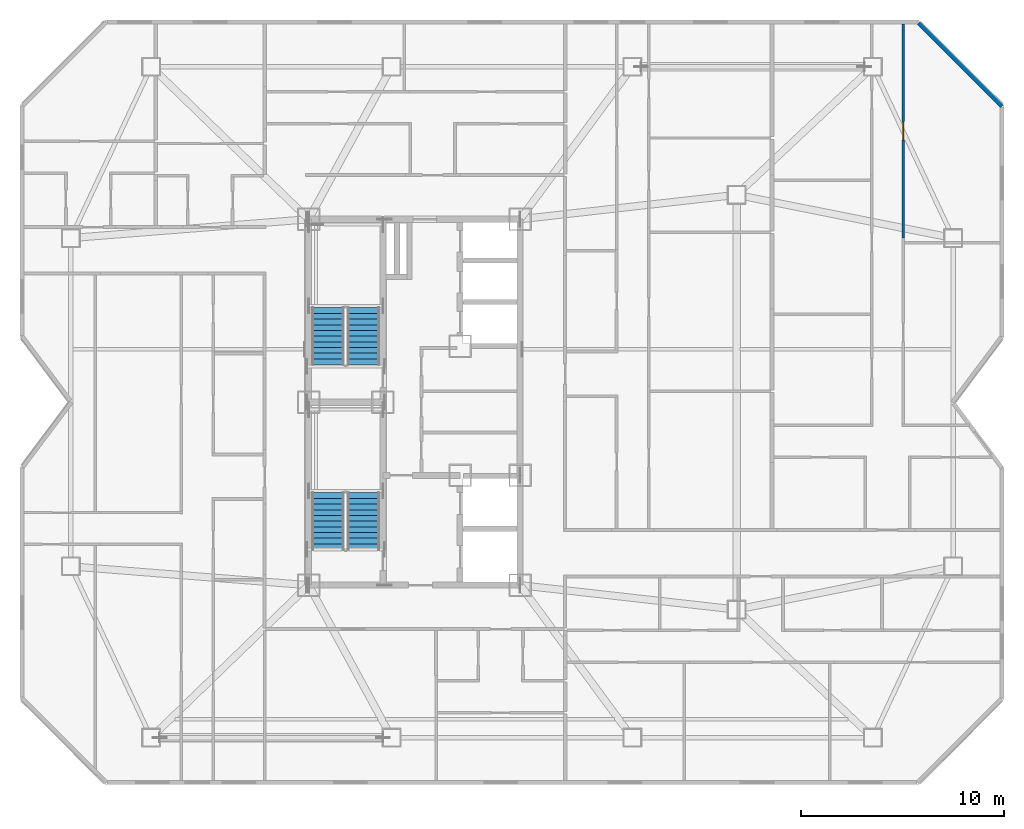
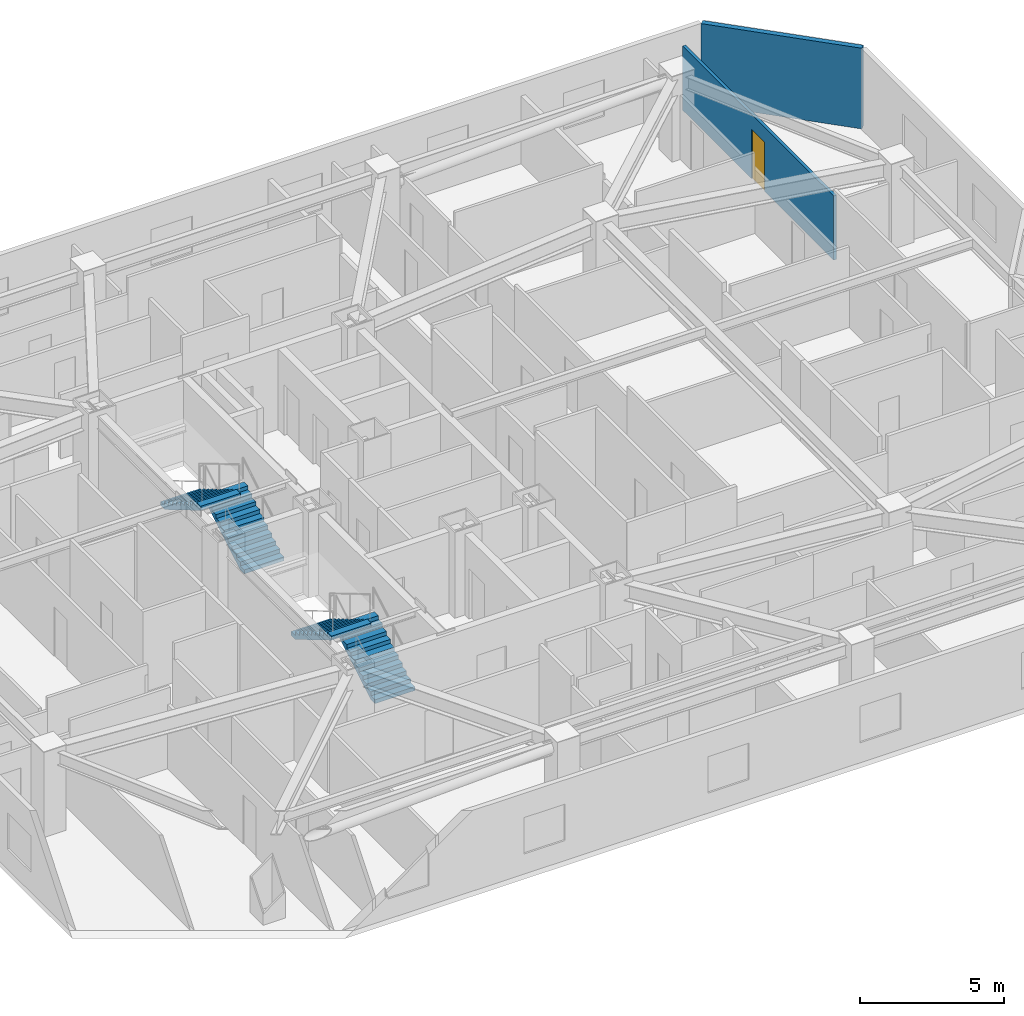
# One storey, part 11 of 13: 4 stair flights, 2 walls, 1 door, 1 opening, 2 elements without a shape of their own.
"""IFC4 building model written with IfcOpenShell, lengths in metres."""

import ifcopenshell
import ifcopenshell.guid

model = None  # the IFC model being written
_history = None  # IfcOwnerHistory: only IFC2X3 demands one
_inside = {}  # id of a spatial element -> (the spatial element, [elements in it])
_under = {}  # id of a project, library or spatial element -> (it, [spatial elements below it])
_declared = {}  # id of a project -> (the project, [libraries it declares])
_typed = {}  # id of a type object -> (the type object, [elements of that type])
_made_of = {}  # id of a material, layer set ... -> (it, [elements and type objects made of it])


def new_model(schema):
    """Start an empty IFC model of exactly this schema.

    Asked for "IFC4X3", IfcOpenShell would pick the latest addendum, in which some entities
    have other attributes; the version numbers below select the first issue.
    IFC2X3 requires an IfcOwnerHistory on every rooted entity: one is made here for all.
    """
    global model, _history
    if schema == "IFC4X3":
        model = ifcopenshell.file(schema_version=(4, 3, 0, 0))
    else:
        model = ifcopenshell.file(schema=schema)
    _inside.clear()
    _under.clear()
    _declared.clear()
    _typed.clear()
    _made_of.clear()
    _history = None
    if model.schema == "IFC2X3":
        org = make("IfcOrganization", Name="unknown")
        user = make(
            "IfcPersonAndOrganization",
            ThePerson=make("IfcPerson", FamilyName="unknown"),
            TheOrganization=org,
        )
        app = make(
            "IfcApplication",
            ApplicationDeveloper=org,
            Version="unknown",
            ApplicationFullName="unknown",
            ApplicationIdentifier="unknown",
        )
        _history = make(
            "IfcOwnerHistory",
            OwningUser=user,
            OwningApplication=app,
            ChangeAction="ADDED",
            CreationDate=0,
        )
    return model


def make(cls, **values):
    """One entity of the class cls with the attributes given. An attribute that is None is left unset."""
    return model.create_entity(
        cls, **{name: value for name, value in values.items() if value is not None}
    )


def rooted(cls, **values):
    """An entity with a GlobalId (a new one), such as an element, a storey or a relation."""
    return make(cls, GlobalId=ifcopenshell.guid.new(), OwnerHistory=_history, **values)


def si_unit(unit_type, name, prefix=None):
    """IfcSIUnit, for example si_unit("LENGTHUNIT", "METRE", prefix="MILLI")."""
    return make("IfcSIUnit", UnitType=unit_type, Prefix=prefix, Name=name)


def assignment(units):
    """IfcUnitAssignment: the units of a project."""
    return None if units is None else make("IfcUnitAssignment", Units=units)


def point(xyz):
    """IfcCartesianPoint."""
    return None if xyz is None else make("IfcCartesianPoint", Coordinates=xyz)


def direction(xyz):
    """IfcDirection."""
    return None if xyz is None else make("IfcDirection", DirectionRatios=xyz)


def frame(location, z_axis=None, x_axis=None):
    """IfcAxis2Placement3D, a coordinate frame: its origin and axes. An axis left out is left unset."""
    return make(
        "IfcAxis2Placement3D",
        Location=point(location),
        Axis=direction(z_axis),
        RefDirection=direction(x_axis),
    )


def frame_2d(location, x_axis=None):
    """IfcAxis2Placement2D, a coordinate frame in the plane: its origin and x axis."""
    return make(
        "IfcAxis2Placement2D", Location=point(location), RefDirection=direction(x_axis)
    )


def origin():
    """The frame at (0, 0, 0) with its axes left unset."""
    return frame((0.0, 0.0, 0.0))


def place(relative_to, where):
    """IfcLocalPlacement: puts the frame where relative to a parent placement (None: the world)."""
    return make(
        "IfcLocalPlacement", PlacementRelTo=relative_to, RelativePlacement=where
    )


def context(
    kind, dimensions, precision=None, world=None, true_north=None, identifier=None
):
    """IfcGeometricRepresentationContext, for example the 3D "Model" context."""
    return make(
        "IfcGeometricRepresentationContext",
        ContextIdentifier=identifier,
        ContextType=kind,
        CoordinateSpaceDimension=dimensions,
        Precision=precision,
        WorldCoordinateSystem=world,
        TrueNorth=true_north,
    )


def subcontext(parent, identifier, kind, view, scale=None):
    """IfcGeometricRepresentationSubContext, for example "Body" below "Model"."""
    return make(
        "IfcGeometricRepresentationSubContext",
        ContextIdentifier=identifier,
        ContextType=kind,
        ParentContext=parent,
        TargetScale=scale,
        TargetView=view,
    )


def project(units=None, contexts=None):
    """IfcProject with its units and contexts."""
    return rooted(
        "IfcProject",
        Name="project",
        RepresentationContexts=contexts,
        UnitsInContext=assignment(units),
    )


def spatial(cls, under=None, at=None, **own):
    """A site, building, storey or space (cls), placed at a placement, below another one or the project."""
    s = rooted(cls, ObjectPlacement=at, **own)
    if under is not None:
        _under.setdefault(under.id(), (under, []))[1].append(s)
    return s


def polyline(points):
    """IfcPolyline through the points."""
    return make("IfcPolyline", Points=[point(p) for p in points])


def profile(cls, at=None, kind="AREA", **sizes):
    """A parametric profile (cls). Its sizes go by their IFC names, for example OverallWidth=200.0."""
    return make(cls, ProfileType=kind, Position=at, **sizes)


def rectangle(**sizes):
    """IfcRectangleProfileDef."""
    return profile("IfcRectangleProfileDef", **sizes)


def outline(outer, holes=None, kind="AREA"):
    """IfcArbitraryClosedProfileDef: a profile drawn as a closed curve; with holes, ...WithVoids."""
    if holes is None:
        return make("IfcArbitraryClosedProfileDef", ProfileType=kind, OuterCurve=outer)
    return make(
        "IfcArbitraryProfileDefWithVoids",
        ProfileType=kind,
        OuterCurve=outer,
        InnerCurves=holes,
    )


def extrude(swept, where, along, depth):
    """IfcExtrudedAreaSolid: the profile swept, set in the frame where, extruded along a direction by depth."""
    return make(
        "IfcExtrudedAreaSolid",
        SweptArea=swept,
        Position=where,
        ExtrudedDirection=direction(along),
        Depth=depth,
    )


def shape(context_of_items, identifier, shape_type, items):
    """IfcShapeRepresentation: the items that make up one representation, for example the "Body"."""
    return make(
        "IfcShapeRepresentation",
        ContextOfItems=context_of_items,
        RepresentationIdentifier=identifier,
        RepresentationType=shape_type,
        Items=items,
    )


def material(Name=None, Category=None):
    """IfcMaterial."""
    return make("IfcMaterial", Name=Name, Category=Category)


def layer(
    of_material, thickness, ventilated=None, Name=None, Category=None, Priority=None
):
    """IfcMaterialLayer: one layer of a wall or slab, of a material (None: an air gap)."""
    return make(
        "IfcMaterialLayer",
        Material=of_material,
        LayerThickness=thickness,
        IsVentilated=ventilated,
        Name=Name,
        Category=Category,
        Priority=Priority,
    )


def layer_set(layers, Name=None):
    """IfcMaterialLayerSet."""
    return make("IfcMaterialLayerSet", MaterialLayers=layers, LayerSetName=Name)


def made_of(thing, what):
    """Note that an element or type object is made of a material, layer set ...; save() writes the relation."""
    if what is not None:
        _made_of.setdefault(what.id(), (what, []))[1].append(thing)
    return thing


def type_object(cls, material=None, **own):
    """A type object (cls), such as IfcWallType, which elements share."""
    return made_of(rooted(cls, **own), material)


def element(
    cls,
    number,
    at=None,
    inside=None,
    cuts=None,
    type_object=None,
    material=None,
    context=None,
    identifier="Body",
    shape_type=None,
    held_by="IfcProductDefinitionShape",
    body=None,
    shapes=None,
    **own,
):
    """One element of the class cls, such as IfcWall. Its Tag is "e" and its number.

    at: its placement. inside: the storey or other place that contains it. cuts: it is an
    opening in that element (IfcRelVoidsElement). A single representation is given by context,
    identifier, shape_type and body (its items); several are given by shapes. held_by: the class
    of the entity that holds the representations. save() writes the other relations.
    """
    e = rooted(cls, Tag="e%d" % number, ObjectPlacement=at, **own)
    if body is not None:
        shapes = [shape(context, identifier, shape_type, body)]
    if shapes is not None:
        e.Representation = make(held_by, Representations=shapes)
    if inside is not None:
        _inside.setdefault(inside.id(), (inside, []))[1].append(e)
    if cuts is not None:
        rooted(
            "IfcRelVoidsElement", RelatingBuildingElement=cuts, RelatedOpeningElement=e
        )
    if type_object is not None:
        _typed.setdefault(type_object.id(), (type_object, []))[1].append(e)
    return made_of(e, material)


def fill(opening, filler):
    """IfcRelFillsElement: the door or window that sits in an opening."""
    return rooted(
        "IfcRelFillsElement",
        RelatingOpeningElement=opening,
        RelatedBuildingElement=filler,
    )


def aggregate(whole, parts):
    """IfcRelAggregates: a whole, such as a stair, and the parts it consists of."""
    return rooted("IfcRelAggregates", RelatingObject=whole, RelatedObjects=parts)


def save(model, path):
    """Write the relations noted so far, then the file.

    IfcRelAggregates (storeys below a building ...), IfcRelContainedInSpatialStructure (elements
    in a storey), IfcRelDefinesByType, IfcRelAssociatesMaterial and IfcRelDeclares: one each for
    every whole, place, type object, material and project.
    """
    for whole, parts in _under.values():
        aggregate(whole, parts)
    for where, things in _inside.values():
        rooted(
            "IfcRelContainedInSpatialStructure",
            RelatedElements=things,
            RelatingStructure=where,
        )
    for kind, things in _typed.values():
        rooted("IfcRelDefinesByType", RelatedObjects=things, RelatingType=kind)
    for what, things in _made_of.values():
        rooted("IfcRelAssociatesMaterial", RelatedObjects=things, RelatingMaterial=what)
    for by, libraries in _declared.values():
        rooted("IfcRelDeclares", RelatingContext=by, RelatedDefinitions=libraries)
    model.write(path)


model = new_model("IFC4")

# Units and contexts
model_context = context("Model", 3, precision=1e-05, world=origin(), true_north=direction((0.0, 1.0)))
body_context = subcontext(model_context, "Body", "Model", "MODEL_VIEW")
ifc_project = project(units=[si_unit("LENGTHUNIT", "METRE"), si_unit("AREAUNIT", "SQUARE_METRE"), si_unit("VOLUMEUNIT", "CUBIC_METRE"), si_unit("PLANEANGLEUNIT", "RADIAN"), si_unit("MASSUNIT", "GRAM", prefix="KILO")], contexts=[model_context])

# Site, building, storey
site_placement = place(None, origin())
site = spatial("IfcSite", under=ifc_project, at=site_placement, CompositionType="ELEMENT")
building_placement = place(site_placement, origin())
building = spatial("IfcBuilding", under=site, at=building_placement, Name="Khamvora Tower", CompositionType="ELEMENT")
storey_placement = place(building_placement, frame((0.0, 0.0, 196.050048828125)))
storey = spatial("IfcBuildingStorey", under=building, at=storey_placement, Name="L50", CompositionType="ELEMENT", Elevation=196.050048828125)

# Wall
ifc_material_1 = material(Name="Precast concrete C40/50", Category="concrete")
ifc_layer_1 = layer(ifc_material_1, 0.199951171875)
ifc_layer_set_1 = layer_set([ifc_layer_1], Name="Precast concrete C40/50")
wall_type_1 = type_object("IfcWallType", Name="WAL-EXT-200", PredefinedType="STANDARD", material=ifc_layer_set_1)
wall_1_placement = place(storey_placement, frame((59.0029296875, 46.656005859375, 0.0), z_axis=(0.0, 0.0, 1.0), x_axis=(0.707127848917, -0.707085712828, 0.0)))
element("IfcWall", 1, at=wall_1_placement, inside=storey, type_object=wall_type_1, Name="L50 exterior facade wall 08.1", PredefinedType="STANDARD", context=body_context, shape_type="SweptSolid", body=[
    extrude(rectangle(XDim=5.794189453125, YDim=0.199951171875, at=frame_2d((2.89697265625, 0.0))), origin(), (0.0, 0.0, 1.0), 3.429931640625),
])

# Wall, opening, door
ifc_material_2 = material(Name="Gypsum Plasterboard Partition", Category="gypsum")
ifc_layer_2 = layer(ifc_material_2, 0.1201171875)
ifc_layer_set_2 = layer_set([ifc_layer_2], Name="Gypsum Plasterboard Partition")
wall_type_2 = type_object("IfcWallType", Name="WAL-PART-120", PredefinedType="PARTITIONING", material=ifc_layer_set_2)
wall_2_placement = place(storey_placement, frame((58.2548828125, 46.60791015625, 0.0), z_axis=(0.0, 0.0, 1.0), x_axis=(0.0, -1.0, 0.0)))
wall_2 = element("IfcWall", 2, at=wall_2_placement, inside=storey, type_object=wall_type_2, Name="L50 interior partition wall 146", PredefinedType="PARTITIONING", context=body_context, shape_type="SweptSolid", body=[
    extrude(rectangle(XDim=10.52197265625, YDim=0.1201171875, at=frame_2d((5.260986328125, 0.0))), origin(), (0.0, 0.0, 1.0), 2.724853515625),
])
opening_placement = place(wall_2_placement, frame((4.81103515625, 0.0, 0.0)))
opening = element("IfcOpeningElement", 3, at=opening_placement, cuts=wall_2, Name="Opening D-RM1", PredefinedType="OPENING", context=body_context, shape_type="SweptSolid", body=[
    extrude(rectangle(XDim=0.89990234375, YDim=2.10009765625, at=frame_2d((0.449951171875, 1.050048828125))), frame((0.0, 0.070068359375, 0.0), z_axis=(0.0, -1.0, 0.0), x_axis=(1.0, 0.0, 0.0)), (0.0, 0.0, 1.0), 0.14013671875),
])
ifc_material_3 = material(Name="Powder-Coated Steel and Hardwood Leaf", Category="steel")
door_type = type_object("IfcDoorType", Name="DOR-ROOM-900", OperationType="NOTDEFINED", PredefinedType="DOOR", material=ifc_material_3)
door_placement = place(opening_placement, origin())
door = element("IfcDoor", 4, at=door_placement, inside=storey, type_object=door_type, Name="L50 interior door 50ECH-50ECR5", OperationType="SINGLE_SWING_RIGHT", OverallHeight=2.10009765625, OverallWidth=0.89990234375, PredefinedType="DOOR", context=body_context, shape_type="SweptSolid", body=[
    extrude(rectangle(XDim=0.89990234375, YDim=2.10009765625, at=frame_2d((0.449951171875, 1.050048828125))), frame((0.0, 0.02490234375, 0.0), z_axis=(0.0, -1.0, 0.0), x_axis=(1.0, 0.0, 0.0)), (0.0, 0.0, 1.0), 0.050048828125),
])
fill(opening, door)

# Stair, stair flights
ifc_material_4 = material(Name="Concrete C40/50", Category="concrete")
stair_type_1 = type_object("IfcStairType", Name="STR-ST-01", PredefinedType="HALF_TURN_STAIR", material=ifc_material_4)
stair_1_placement = place(storey_placement, origin())
stair_1 = element("IfcStair", 5, at=stair_1_placement, inside=storey, type_object=stair_type_1, Name="L50 South Tower Exit Stair ST-01", PredefinedType="HALF_TURN_STAIR")
stair_flight_type_1 = type_object("IfcStairFlightType", Name="STF-ST-01", PredefinedType="STRAIGHT", material=ifc_material_4)
stair_flight_1_placement = place(storey_placement, frame((31.699951171875, 20.75, 0.0), z_axis=(0.0, 0.0, 1.0), x_axis=(0.0, 1.0, 0.0)))
stair_flight_1 = element("IfcStairFlight", 6, at=stair_flight_1_placement, type_object=stair_flight_type_1, Name="ST-01 flight 1", NumberOfRisers=11, NumberOfTreads=10, PredefinedType="STRAIGHT", RiserHeight=0.165909091, TreadLength=0.28, context=body_context, shape_type="SweptSolid", body=[
    extrude(outline(polyline([(0.0, 0.0), (0.0, 0.166015625), (0.280029296875, 0.166015625), (0.280029296875, 0.331787109375), (0.56005859375, 0.331787109375), (0.56005859375, 0.497802734375), (0.840087890625, 0.497802734375), (0.840087890625, 0.66357421875), (1.1201171875, 0.66357421875), (1.1201171875, 0.82958984375), (1.39990234375, 0.82958984375), (1.39990234375, 0.995361328125), (1.679931640625, 0.995361328125), (1.679931640625, 1.161376953125), (1.9599609375, 1.161376953125), (1.9599609375, 1.327392578125), (2.239990234375, 1.327392578125), (2.239990234375, 1.4931640625), (2.52001953125, 1.4931640625), (2.52001953125, 1.6591796875), (2.800048828125, 1.6591796875), (2.800048828125, 1.824951171875), (2.800048828125, 1.48486328125), (0.2939453125, 0.0), (0.0, 0.0)])), frame((0.0, 0.800048828125, 0.0), z_axis=(0.0, -1.0, 0.0), x_axis=(1.0, 0.0, 0.0)), (0.0, 0.0, 1.0), 1.60009765625),
])
stair_flight_2_placement = place(storey_placement, frame((29.949951171875, 23.550048828125, 1.824951171875), z_axis=(0.0, 0.0, 1.0), x_axis=(0.0, -1.0, 0.0)))
stair_flight_2 = element("IfcStairFlight", 7, at=stair_flight_2_placement, type_object=stair_flight_type_1, Name="ST-01 flight 2", NumberOfRisers=11, NumberOfTreads=10, PredefinedType="STRAIGHT", RiserHeight=0.165909091, TreadLength=0.28, context=body_context, shape_type="SweptSolid", body=[
    extrude(outline(polyline([(0.0, 0.0), (0.0, 0.166015625), (0.280029296875, 0.166015625), (0.280029296875, 0.331787109375), (0.56005859375, 0.331787109375), (0.56005859375, 0.497802734375), (0.840087890625, 0.497802734375), (0.840087890625, 0.66357421875), (1.1201171875, 0.66357421875), (1.1201171875, 0.82958984375), (1.39990234375, 0.82958984375), (1.39990234375, 0.995361328125), (1.679931640625, 0.995361328125), (1.679931640625, 1.161376953125), (1.9599609375, 1.161376953125), (1.9599609375, 1.327392578125), (2.239990234375, 1.327392578125), (2.239990234375, 1.4931640625), (2.52001953125, 1.4931640625), (2.52001953125, 1.6591796875), (2.800048828125, 1.6591796875), (2.800048828125, 1.824951171875), (2.800048828125, 1.48486328125), (0.2939453125, 0.0), (0.0, 0.0)])), frame((0.0, 0.800048828125, 0.0), z_axis=(0.0, -1.0, 0.0), x_axis=(1.0, 0.0, 0.0)), (0.0, 0.0, 1.0), 1.60009765625),
])
aggregate(stair_1, [stair_flight_1, stair_flight_2])

stair_type_2 = type_object("IfcStairType", Name="STR-ST-02", PredefinedType="HALF_TURN_STAIR", material=ifc_material_4)
stair_2_placement = place(storey_placement, origin())
stair_2 = element("IfcStair", 8, at=stair_2_placement, inside=storey, type_object=stair_type_2, Name="L50 North Tower Exit Stair ST-02", PredefinedType="HALF_TURN_STAIR")
stair_flight_type_2 = type_object("IfcStairFlightType", Name="STF-ST-02", PredefinedType="STRAIGHT", material=ifc_material_4)
stair_flight_3_placement = place(storey_placement, frame((31.699951171875, 29.85009765625, 0.0), z_axis=(0.0, 0.0, 1.0), x_axis=(0.0, 1.0, 0.0)))
stair_flight_3 = element("IfcStairFlight", 9, at=stair_flight_3_placement, type_object=stair_flight_type_2, Name="ST-02 flight 1", NumberOfRisers=11, NumberOfTreads=10, PredefinedType="STRAIGHT", RiserHeight=0.165909091, TreadLength=0.28, context=body_context, shape_type="SweptSolid", body=[
    extrude(outline(polyline([(0.0, 0.0), (0.0, 0.166015625), (0.280029296875, 0.166015625), (0.280029296875, 0.331787109375), (0.56005859375, 0.331787109375), (0.56005859375, 0.497802734375), (0.840087890625, 0.497802734375), (0.840087890625, 0.66357421875), (1.1201171875, 0.66357421875), (1.1201171875, 0.82958984375), (1.39990234375, 0.82958984375), (1.39990234375, 0.995361328125), (1.679931640625, 0.995361328125), (1.679931640625, 1.161376953125), (1.9599609375, 1.161376953125), (1.9599609375, 1.327392578125), (2.239990234375, 1.327392578125), (2.239990234375, 1.4931640625), (2.52001953125, 1.4931640625), (2.52001953125, 1.6591796875), (2.800048828125, 1.6591796875), (2.800048828125, 1.824951171875), (2.800048828125, 1.48486328125), (0.2939453125, 0.0), (0.0, 0.0)])), frame((0.0, 0.800048828125, 0.0), z_axis=(0.0, -1.0, 0.0), x_axis=(1.0, 0.0, 0.0)), (0.0, 0.0, 1.0), 1.60009765625),
])
stair_flight_4_placement = place(storey_placement, frame((29.949951171875, 32.64990234375, 1.824951171875), z_axis=(0.0, 0.0, 1.0), x_axis=(0.0, -1.0, 0.0)))
stair_flight_4 = element("IfcStairFlight", 10, at=stair_flight_4_placement, type_object=stair_flight_type_2, Name="ST-02 flight 2", NumberOfRisers=11, NumberOfTreads=10, PredefinedType="STRAIGHT", RiserHeight=0.165909091, TreadLength=0.28, context=body_context, shape_type="SweptSolid", body=[
    extrude(outline(polyline([(0.0, 0.0), (0.0, 0.166015625), (0.280029296875, 0.166015625), (0.280029296875, 0.331787109375), (0.56005859375, 0.331787109375), (0.56005859375, 0.497802734375), (0.840087890625, 0.497802734375), (0.840087890625, 0.66357421875), (1.1201171875, 0.66357421875), (1.1201171875, 0.82958984375), (1.39990234375, 0.82958984375), (1.39990234375, 0.995361328125), (1.679931640625, 0.995361328125), (1.679931640625, 1.161376953125), (1.9599609375, 1.161376953125), (1.9599609375, 1.327392578125), (2.239990234375, 1.327392578125), (2.239990234375, 1.4931640625), (2.52001953125, 1.4931640625), (2.52001953125, 1.6591796875), (2.800048828125, 1.6591796875), (2.800048828125, 1.824951171875), (2.800048828125, 1.48486328125), (0.2939453125, 0.0), (0.0, 0.0)])), frame((0.0, 0.800048828125, 0.0), z_axis=(0.0, -1.0, 0.0), x_axis=(1.0, 0.0, 0.0)), (0.0, 0.0, 1.0), 1.60009765625),
])
aggregate(stair_2, [stair_flight_3, stair_flight_4])

save(model, "model.ifc")
